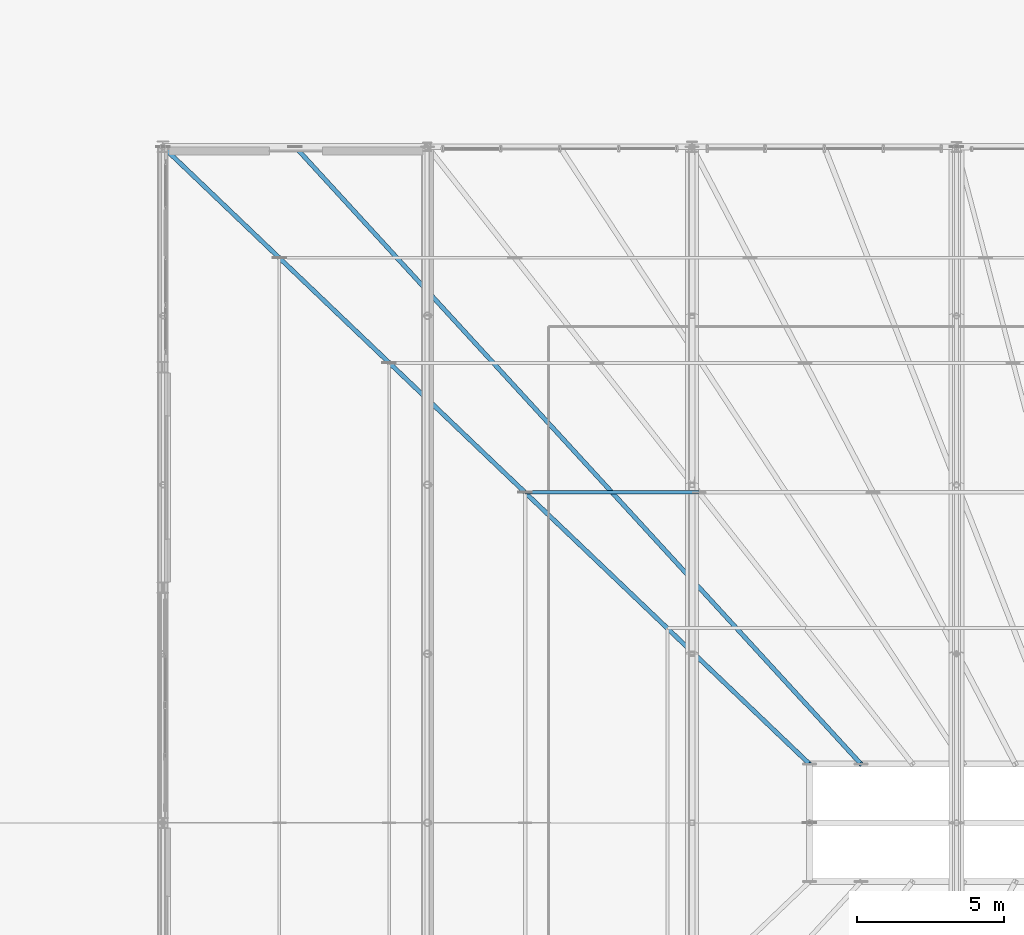
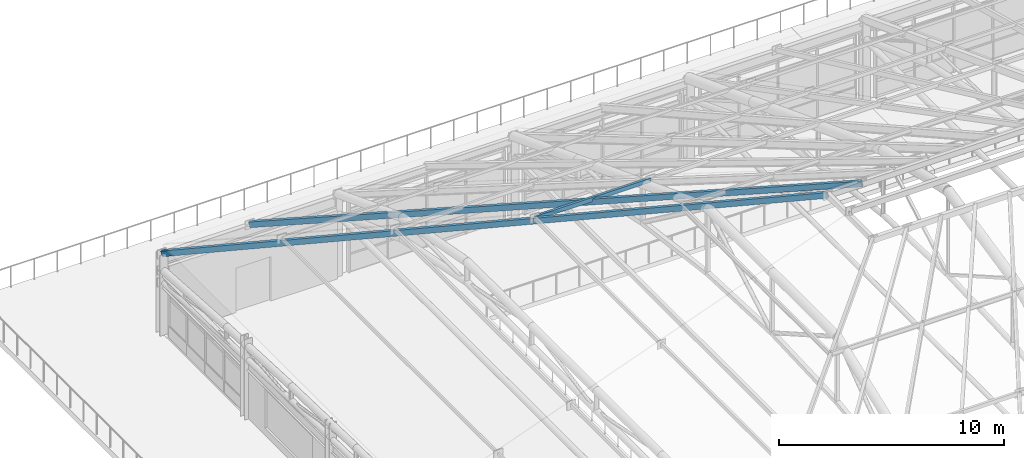
# One storey, part 51 of 168: 3 members.
"""IFC4 building model written with IfcOpenShell, lengths in metres."""

import ifcopenshell
import ifcopenshell.guid

model = None  # the IFC model being written
_history = None  # IfcOwnerHistory: only IFC2X3 demands one
_inside = {}  # id of a spatial element -> (the spatial element, [elements in it])
_under = {}  # id of a project, library or spatial element -> (it, [spatial elements below it])
_declared = {}  # id of a project -> (the project, [libraries it declares])
_typed = {}  # id of a type object -> (the type object, [elements of that type])
_made_of = {}  # id of a material, layer set ... -> (it, [elements and type objects made of it])


def new_model(schema):
    """Start an empty IFC model of exactly this schema.

    Asked for "IFC4X3", IfcOpenShell would pick the latest addendum, in which some entities
    have other attributes; the version numbers below select the first issue.
    IFC2X3 requires an IfcOwnerHistory on every rooted entity: one is made here for all.
    """
    global model, _history
    if schema == "IFC4X3":
        model = ifcopenshell.file(schema_version=(4, 3, 0, 0))
    else:
        model = ifcopenshell.file(schema=schema)
    _inside.clear()
    _under.clear()
    _declared.clear()
    _typed.clear()
    _made_of.clear()
    _history = None
    if model.schema == "IFC2X3":
        org = make("IfcOrganization", Name="unknown")
        user = make(
            "IfcPersonAndOrganization",
            ThePerson=make("IfcPerson", FamilyName="unknown"),
            TheOrganization=org,
        )
        app = make(
            "IfcApplication",
            ApplicationDeveloper=org,
            Version="unknown",
            ApplicationFullName="unknown",
            ApplicationIdentifier="unknown",
        )
        _history = make(
            "IfcOwnerHistory",
            OwningUser=user,
            OwningApplication=app,
            ChangeAction="ADDED",
            CreationDate=0,
        )
    return model


def make(cls, **values):
    """One entity of the class cls with the attributes given. An attribute that is None is left unset."""
    return model.create_entity(
        cls, **{name: value for name, value in values.items() if value is not None}
    )


def rooted(cls, **values):
    """An entity with a GlobalId (a new one), such as an element, a storey or a relation."""
    return make(cls, GlobalId=ifcopenshell.guid.new(), OwnerHistory=_history, **values)


def si_unit(unit_type, name, prefix=None):
    """IfcSIUnit, for example si_unit("LENGTHUNIT", "METRE", prefix="MILLI")."""
    return make("IfcSIUnit", UnitType=unit_type, Prefix=prefix, Name=name)


def assignment(units):
    """IfcUnitAssignment: the units of a project."""
    return None if units is None else make("IfcUnitAssignment", Units=units)


def point(xyz):
    """IfcCartesianPoint."""
    return None if xyz is None else make("IfcCartesianPoint", Coordinates=xyz)


def direction(xyz):
    """IfcDirection."""
    return None if xyz is None else make("IfcDirection", DirectionRatios=xyz)


def frame(location, z_axis=None, x_axis=None):
    """IfcAxis2Placement3D, a coordinate frame: its origin and axes. An axis left out is left unset."""
    return make(
        "IfcAxis2Placement3D",
        Location=point(location),
        Axis=direction(z_axis),
        RefDirection=direction(x_axis),
    )


def frame_2d(location, x_axis=None):
    """IfcAxis2Placement2D, a coordinate frame in the plane: its origin and x axis."""
    return make(
        "IfcAxis2Placement2D", Location=point(location), RefDirection=direction(x_axis)
    )


def origin():
    """The frame at (0, 0, 0) with its axes left unset."""
    return frame((0.0, 0.0, 0.0))


def origin_2d():
    """The frame at (0, 0) in the plane with its x axis left unset."""
    return frame_2d((0.0, 0.0))


def place(relative_to, where):
    """IfcLocalPlacement: puts the frame where relative to a parent placement (None: the world)."""
    return make(
        "IfcLocalPlacement", PlacementRelTo=relative_to, RelativePlacement=where
    )


def context(
    kind, dimensions, precision=None, world=None, true_north=None, identifier=None
):
    """IfcGeometricRepresentationContext, for example the 3D "Model" context."""
    return make(
        "IfcGeometricRepresentationContext",
        ContextIdentifier=identifier,
        ContextType=kind,
        CoordinateSpaceDimension=dimensions,
        Precision=precision,
        WorldCoordinateSystem=world,
        TrueNorth=true_north,
    )


def subcontext(parent, identifier, kind, view, scale=None):
    """IfcGeometricRepresentationSubContext, for example "Body" below "Model"."""
    return make(
        "IfcGeometricRepresentationSubContext",
        ContextIdentifier=identifier,
        ContextType=kind,
        ParentContext=parent,
        TargetScale=scale,
        TargetView=view,
    )


def project(units=None, contexts=None):
    """IfcProject with its units and contexts."""
    return rooted(
        "IfcProject",
        Name="project",
        RepresentationContexts=contexts,
        UnitsInContext=assignment(units),
    )


def spatial(cls, under=None, at=None, **own):
    """A site, building, storey or space (cls), placed at a placement, below another one or the project."""
    s = rooted(cls, ObjectPlacement=at, **own)
    if under is not None:
        _under.setdefault(under.id(), (under, []))[1].append(s)
    return s


def profile(cls, at=None, kind="AREA", **sizes):
    """A parametric profile (cls). Its sizes go by their IFC names, for example OverallWidth=200.0."""
    return make(cls, ProfileType=kind, Position=at, **sizes)


def hollow_rectangle(**sizes):
    """IfcRectangleHollowProfileDef."""
    return profile("IfcRectangleHollowProfileDef", **sizes)


def extrude(swept, where, along, depth):
    """IfcExtrudedAreaSolid: the profile swept, set in the frame where, extruded along a direction by depth."""
    return make(
        "IfcExtrudedAreaSolid",
        SweptArea=swept,
        Position=where,
        ExtrudedDirection=direction(along),
        Depth=depth,
    )


def shape(context_of_items, identifier, shape_type, items):
    """IfcShapeRepresentation: the items that make up one representation, for example the "Body"."""
    return make(
        "IfcShapeRepresentation",
        ContextOfItems=context_of_items,
        RepresentationIdentifier=identifier,
        RepresentationType=shape_type,
        Items=items,
    )


def material(Name=None, Category=None):
    """IfcMaterial."""
    return make("IfcMaterial", Name=Name, Category=Category)


def material_profile(
    of_material, cross_section, Name=None, Category=None, Priority=None
):
    """IfcMaterialProfile: a cross section and its material."""
    return make(
        "IfcMaterialProfile",
        Name=Name,
        Material=of_material,
        Profile=cross_section,
        Priority=Priority,
        Category=Category,
    )


def profile_set(profiles, Name=None, composite=None):
    """IfcMaterialProfileSet."""
    return make(
        "IfcMaterialProfileSet",
        Name=Name,
        MaterialProfiles=profiles,
        CompositeProfile=composite,
    )


def made_of(thing, what):
    """Note that an element or type object is made of a material, layer set ...; save() writes the relation."""
    if what is not None:
        _made_of.setdefault(what.id(), (what, []))[1].append(thing)
    return thing


def type_object(cls, material=None, **own):
    """A type object (cls), such as IfcWallType, which elements share."""
    return made_of(rooted(cls, **own), material)


def element(
    cls,
    number,
    at=None,
    inside=None,
    cuts=None,
    type_object=None,
    material=None,
    context=None,
    identifier="Body",
    shape_type=None,
    held_by="IfcProductDefinitionShape",
    body=None,
    shapes=None,
    **own,
):
    """One element of the class cls, such as IfcWall. Its Tag is "e" and its number.

    at: its placement. inside: the storey or other place that contains it. cuts: it is an
    opening in that element (IfcRelVoidsElement). A single representation is given by context,
    identifier, shape_type and body (its items); several are given by shapes. held_by: the class
    of the entity that holds the representations. save() writes the other relations.
    """
    e = rooted(cls, Tag="e%d" % number, ObjectPlacement=at, **own)
    if body is not None:
        shapes = [shape(context, identifier, shape_type, body)]
    if shapes is not None:
        e.Representation = make(held_by, Representations=shapes)
    if inside is not None:
        _inside.setdefault(inside.id(), (inside, []))[1].append(e)
    if cuts is not None:
        rooted(
            "IfcRelVoidsElement", RelatingBuildingElement=cuts, RelatedOpeningElement=e
        )
    if type_object is not None:
        _typed.setdefault(type_object.id(), (type_object, []))[1].append(e)
    return made_of(e, material)


def aggregate(whole, parts):
    """IfcRelAggregates: a whole, such as a stair, and the parts it consists of."""
    return rooted("IfcRelAggregates", RelatingObject=whole, RelatedObjects=parts)


def save(model, path):
    """Write the relations noted so far, then the file.

    IfcRelAggregates (storeys below a building ...), IfcRelContainedInSpatialStructure (elements
    in a storey), IfcRelDefinesByType, IfcRelAssociatesMaterial and IfcRelDeclares: one each for
    every whole, place, type object, material and project.
    """
    for whole, parts in _under.values():
        aggregate(whole, parts)
    for where, things in _inside.values():
        rooted(
            "IfcRelContainedInSpatialStructure",
            RelatedElements=things,
            RelatingStructure=where,
        )
    for kind, things in _typed.values():
        rooted("IfcRelDefinesByType", RelatedObjects=things, RelatingType=kind)
    for what, things in _made_of.values():
        rooted("IfcRelAssociatesMaterial", RelatedObjects=things, RelatingMaterial=what)
    for by, libraries in _declared.values():
        rooted("IfcRelDeclares", RelatingContext=by, RelatedDefinitions=libraries)
    model.write(path)


model = new_model("IFC4")

# Units and contexts
model_context = context("Model", 3, precision=1e-05, world=origin(), true_north=direction((0.0, 1.0)))
body_context = subcontext(model_context, "Body", "Model", "MODEL_VIEW")
ifc_project = project(units=[si_unit("LENGTHUNIT", "METRE"), si_unit("AREAUNIT", "SQUARE_METRE"), si_unit("VOLUMEUNIT", "CUBIC_METRE"), si_unit("PLANEANGLEUNIT", "RADIAN"), si_unit("MASSUNIT", "GRAM", prefix="KILO"), si_unit("THERMODYNAMICTEMPERATUREUNIT", "KELVIN"), si_unit("POWERUNIT", "WATT")], contexts=[model_context])

# Site, building, storey
site_placement = place(None, origin())
site = spatial("IfcSite", under=ifc_project, at=site_placement, CompositionType="ELEMENT")
building_placement = place(site_placement, origin())
building = spatial("IfcBuilding", under=site, at=building_placement, Name="Tepalcoro Natatorium and Aquatics Centre", CompositionType="ELEMENT")
storey_placement = place(building_placement, frame((0.0, 0.0, 10.199951171875)))
storey = spatial("IfcBuildingStorey", under=building, at=storey_placement, Name="L02", CompositionType="ELEMENT", Elevation=10.199951171875)

# Members
ifc_material_1 = material(Name="Hollow Steel ASTM A500 Grade C (Fy 345 MPa)", Category="steel")
ifc_material_profile_1 = material_profile(ifc_material_1, hollow_rectangle(XDim=0.1201171875, YDim=0.219970703125, WallThickness=0.010009765625, at=origin_2d()), Name="HSS220X120X10")
ifc_profile_set_1 = profile_set([ifc_material_profile_1], Name="Hollow Steel ASTM A500 Grade C (Fy 345 MPa)")
member_type_1 = type_object("IfcMemberType", Name="MB_PR_HSS220x120x10", PredefinedType="PURLIN", material=ifc_profile_set_1)
member_1_placement = place(storey_placement, frame((65.320068359375, 47.239990234375, 9.05419921875), z_axis=(1.0, 0.0, 0.0), x_axis=(0.0, 1.0, 0.0)))
element("IfcMember", 1, at=member_1_placement, inside=storey, type_object=member_type_1, Name="Pyramid Horizontal Purlin North", PredefinedType="PURLIN", context=body_context, shape_type="SweptSolid", body=[
    extrude(hollow_rectangle(XDim=0.1201171875, YDim=0.219970703125, WallThickness=0.010009765625, at=origin_2d()), origin(), (0.0, 0.0, 1.0), 5.919921875),
])
ifc_material_2 = material(Name="Terracotta Painted Hollow Steel ASTM A500 Grade C (Fy 345 MPa)", Category="masonry")
ifc_material_profile_2 = material_profile(ifc_material_2, hollow_rectangle(XDim=0.14990234375, YDim=0.300048828125, WallThickness=0.011962890625, at=origin_2d()), Name="HSS300X150X12")
ifc_profile_set_2 = profile_set([ifc_material_profile_2], Name="Terracotta Painted Hollow Steel ASTM A500 Grade C (Fy 345 MPa)")
member_type_2 = type_object("IfcMemberType", Name="MB_RF_HSS300x150x12", PredefinedType="RAFTER", material=ifc_profile_set_2)
member_2_placement = place(storey_placement, frame((53.0, 59.0, 4.320068359375), z_axis=(0.698386900615, -0.666642041496, 0.260469049137), x_axis=(0.690475746683, 0.723355544144, 0.0)))
element("IfcMember", 2, at=member_2_placement, inside=storey, type_object=member_type_2, Name="Pyramid Hip Rafter NW", PredefinedType="RAFTER", context=body_context, shape_type="SweptSolid", body=[
    extrude(hollow_rectangle(XDim=0.14990234375, YDim=0.300048828125, WallThickness=0.011962890625, at=origin_2d()), origin(), (0.0, 0.0, 1.0), 31.501220703125),
])
member_3_placement = place(storey_placement, frame((57.5, 59.0, 4.320068359375), z_axis=(0.649328564476, -0.708358433974, 0.276768394822), x_axis=(0.737154140201, 0.675724628517, 0.0)))
element("IfcMember", 3, at=member_3_placement, inside=storey, type_object=member_type_2, Name="Pyramid Skylight Rafter North", PredefinedType="RAFTER", context=body_context, shape_type="SweptSolid", body=[
    extrude(hollow_rectangle(XDim=0.14990234375, YDim=0.300048828125, WallThickness=0.011962890625, at=origin_2d()), origin(), (0.0, 0.0, 1.0), 29.64599609375),
])

save(model, "model.ifc")
